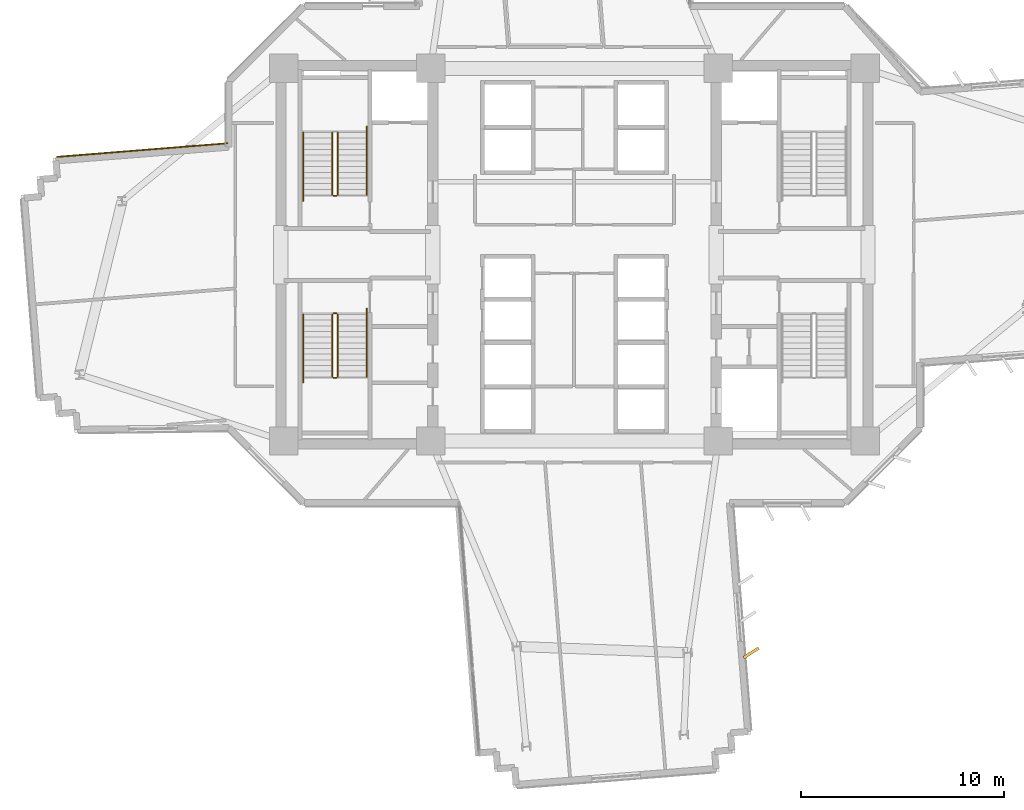
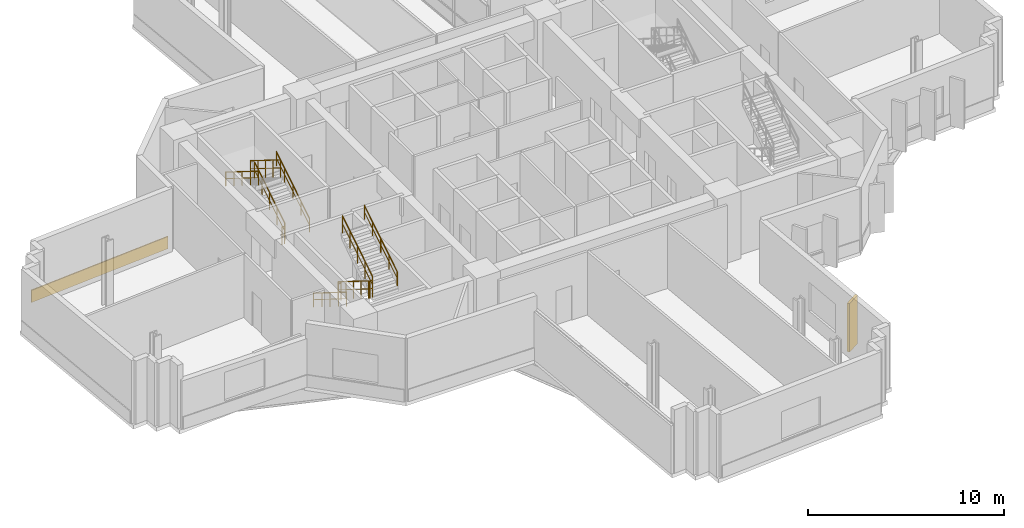
# One storey, part 12 of 15: 11 railings, 2 coverings.
"""IFC4 building model written with IfcOpenShell, lengths in metres."""

from ifc_helpers import new_model, si_unit, direction, frame, origin, origin_2d, place, context, subcontext, project, spatial, rectangle, extrude, source, transform, mapped, material, layer, layer_set, type_object, element, save


model = new_model("IFC4")

# Units and contexts
model_context = context("Model", 3, precision=1e-05, world=origin(), true_north=direction((0.0, 1.0)))
body_context = subcontext(model_context, "Body", "Model", "MODEL_VIEW")
ifc_project = project(units=[si_unit("LENGTHUNIT", "METRE"), si_unit("AREAUNIT", "SQUARE_METRE"), si_unit("VOLUMEUNIT", "CUBIC_METRE"), si_unit("PLANEANGLEUNIT", "RADIAN"), si_unit("MASSUNIT", "GRAM", prefix="KILO")], contexts=[model_context])

# Site, building, storey
site_placement = place(None, origin())
site = spatial("IfcSite", under=ifc_project, at=site_placement, CompositionType="ELEMENT")
building_placement = place(site_placement, origin())
building = spatial("IfcBuilding", under=site, at=building_placement, Name="Zahravan Cultural Tower", CompositionType="ELEMENT")
storey_placement = place(building_placement, frame((0.0, 0.0, 83.699951171875)))
storey = spatial("IfcBuildingStorey", under=building, at=storey_placement, Name="L18", CompositionType="ELEMENT", Elevation=83.699951171875)

# Railings
ifc_material_1 = material(Name="Steel ASTM A572 Grade 50", Category="steel")
railing_type_1 = type_object("IfcRailingType", Name="RL-STAIR-GRD1150", PredefinedType="BALUSTRADE", material=ifc_material_1)
railing_1_placement = place(storey_placement, frame((24.300048828125, 29.949951171875, 0.175048828125)))
element("IfcRailing", 1, at=railing_1_placement, inside=storey, type_object=railing_type_1, Name="L18 ST-W1 stair guard 1", PredefinedType="BALUSTRADE", context=body_context, shape_type="SweptSolid", body=[
    extrude(rectangle(XDim=0.05, YDim=0.05, at=origin_2d()), frame((0.0, 0.0, 1.0751953125), z_axis=(0.0, 0.847998304005, 0.529998940003), x_axis=(-1.0, 0.0, 0.0)), (0.0, 0.0, 1.0), 3.632080078125),
    extrude(rectangle(XDim=0.032, YDim=0.032, at=origin_2d()), frame((0.0, 0.0, 0.572021484375), z_axis=(0.0, 0.847998304005, 0.529998940003), x_axis=(-1.0, 0.0, 0.0)), (0.0, 0.0, 1.0), 3.632080078125),
    extrude(rectangle(XDim=0.04, YDim=0.04, at=origin_2d()), origin(), (0.0, 0.0, 1.0), 1.10009765625),
    extrude(rectangle(XDim=0.04, YDim=0.04, at=origin_2d()), frame((0.0, 0.77001953125, 0.481201171875)), (0.0, 0.0, 1.0), 1.10009765625),
    extrude(rectangle(XDim=0.04, YDim=0.04, at=origin_2d()), frame((0.0, 1.5400390625, 0.96240234375)), (0.0, 0.0, 1.0), 1.10009765625),
    extrude(rectangle(XDim=0.04, YDim=0.04, at=origin_2d()), frame((0.0, 2.31005859375, 1.44384765625)), (0.0, 0.0, 1.0), 1.10009765625),
    extrude(rectangle(XDim=0.04, YDim=0.04, at=origin_2d()), frame((0.0, 3.080078125, 1.925048828125)), (0.0, 0.0, 1.0), 1.10009765625),
])
railing_2_placement = place(storey_placement, frame((24.050048828125, 33.030029296875, 2.275146484375)))
element("IfcRailing", 2, at=railing_2_placement, inside=storey, type_object=railing_type_1, Name="L18 ST-W1 stair guard 3", PredefinedType="BALUSTRADE", context=body_context, shape_type="SweptSolid", body=[
    extrude(rectangle(XDim=0.05, YDim=0.05, at=origin_2d()), frame((0.0, 0.0, 1.0751953125), z_axis=(0.0, -0.848028513186, 0.529950602248), x_axis=(1.0, 0.0, 0.0)), (0.0, 0.0, 1.0), 3.632080078125),
    extrude(rectangle(XDim=0.032, YDim=0.032, at=origin_2d()), frame((0.0, 0.0, 0.572021484375), z_axis=(0.0, -0.848028513186, 0.529950602248), x_axis=(1.0, 0.0, 0.0)), (0.0, 0.0, 1.0), 3.632080078125),
    extrude(rectangle(XDim=0.04, YDim=0.04, at=origin_2d()), origin(), (0.0, 0.0, 1.0), 1.10009765625),
    extrude(rectangle(XDim=0.04, YDim=0.04, at=origin_2d()), frame((0.0, -0.77001953125, 0.481201171875)), (0.0, 0.0, 1.0), 1.10009765625),
    extrude(rectangle(XDim=0.04, YDim=0.04, at=origin_2d()), frame((0.0, -1.5400390625, 0.96240234375)), (0.0, 0.0, 1.0), 1.10009765625),
    extrude(rectangle(XDim=0.04, YDim=0.04, at=origin_2d()), frame((0.0, -2.31005859375, 1.443603515625)), (0.0, 0.0, 1.0), 1.10009765625),
    extrude(rectangle(XDim=0.04, YDim=0.04, at=origin_2d()), frame((0.0, -3.080078125, 1.9248046875)), (0.0, 0.0, 1.0), 1.10009765625),
])
railing_3_placement = place(storey_placement, frame((24.25, 29.89990234375, 0.0)))
element("IfcRailing", 3, at=railing_3_placement, inside=storey, type_object=railing_type_1, Name="L18 ST-W1 stair guard 4", PredefinedType="BALUSTRADE", context=body_context, shape_type="SweptSolid", body=[
    extrude(rectangle(XDim=0.05, YDim=0.05, at=origin_2d()), frame((0.0, 0.0, 1.0751953125), z_axis=(-1.0, 0.0, 0.0), x_axis=(0.0, -1.0, 0.0)), (0.0, 0.0, 1.0), 0.14990234375),
    extrude(rectangle(XDim=0.032, YDim=0.032, at=origin_2d()), frame((0.0, 0.0, 0.572021484375), z_axis=(-1.0, 0.0, 0.0), x_axis=(0.0, -1.0, 0.0)), (0.0, 0.0, 1.0), 0.14990234375),
    extrude(rectangle(XDim=0.04, YDim=0.04, at=origin_2d()), origin(), (0.0, 0.0, 1.0), 1.10009765625),
    extrude(rectangle(XDim=0.04, YDim=0.04, at=origin_2d()), frame((-0.14990234375, 0.0, 0.0)), (0.0, 0.0, 1.0), 1.10009765625),
])
railing_4_placement = place(storey_placement, frame((24.050048828125, 24.050048828125, 0.175048828125)))
element("IfcRailing", 4, at=railing_4_placement, inside=storey, type_object=railing_type_1, Name="L18 ST-W2 stair guard 1", PredefinedType="BALUSTRADE", context=body_context, shape_type="SweptSolid", body=[
    extrude(rectangle(XDim=0.05, YDim=0.05, at=origin_2d()), frame((0.0, 0.0, 1.0751953125), z_axis=(0.0, -0.847998304005, 0.529998940003), x_axis=(1.0, 0.0, 0.0)), (0.0, 0.0, 1.0), 3.632080078125),
    extrude(rectangle(XDim=0.032, YDim=0.032, at=origin_2d()), frame((0.0, 0.0, 0.572021484375), z_axis=(0.0, -0.847998304005, 0.529998940003), x_axis=(1.0, 0.0, 0.0)), (0.0, 0.0, 1.0), 3.632080078125),
    extrude(rectangle(XDim=0.04, YDim=0.04, at=origin_2d()), origin(), (0.0, 0.0, 1.0), 1.10009765625),
    extrude(rectangle(XDim=0.04, YDim=0.04, at=origin_2d()), frame((0.0, -0.77001953125, 0.481201171875)), (0.0, 0.0, 1.0), 1.10009765625),
    extrude(rectangle(XDim=0.04, YDim=0.04, at=origin_2d()), frame((0.0, -1.5400390625, 0.96240234375)), (0.0, 0.0, 1.0), 1.10009765625),
    extrude(rectangle(XDim=0.04, YDim=0.04, at=origin_2d()), frame((0.0, -2.31005859375, 1.44384765625)), (0.0, 0.0, 1.0), 1.10009765625),
    extrude(rectangle(XDim=0.04, YDim=0.04, at=origin_2d()), frame((0.0, -3.080078125, 1.925048828125)), (0.0, 0.0, 1.0), 1.10009765625),
])
railing_5_placement = place(storey_placement, frame((24.10009765625, 20.919921875, 2.10009765625)))
element("IfcRailing", 5, at=railing_5_placement, inside=storey, type_object=railing_type_1, Name="L18 ST-W2 stair guard 2", PredefinedType="BALUSTRADE", context=body_context, shape_type="SweptSolid", body=[
    extrude(rectangle(XDim=0.05, YDim=0.05, at=origin_2d()), frame((0.0, 0.0, 1.0751953125), z_axis=(1.0, 0.0, 0.0), x_axis=(0.0, 1.0, 0.0)), (0.0, 0.0, 1.0), 0.14990234375),
    extrude(rectangle(XDim=0.032, YDim=0.032, at=origin_2d()), frame((0.0, 0.0, 0.572021484375), z_axis=(1.0, 0.0, 0.0), x_axis=(0.0, 1.0, 0.0)), (0.0, 0.0, 1.0), 0.14990234375),
    extrude(rectangle(XDim=0.04, YDim=0.04, at=origin_2d()), origin(), (0.0, 0.0, 1.0), 1.10009765625),
    extrude(rectangle(XDim=0.04, YDim=0.04, at=origin_2d()), frame((0.14990234375, 0.0, 0.0)), (0.0, 0.0, 1.0), 1.10009765625),
])
railing_6_placement = place(storey_placement, frame((24.300048828125, 20.969970703125, 2.275146484375)))
element("IfcRailing", 6, at=railing_6_placement, inside=storey, type_object=railing_type_1, Name="L18 ST-W2 stair guard 3", PredefinedType="BALUSTRADE", context=body_context, shape_type="SweptSolid", body=[
    extrude(rectangle(XDim=0.05, YDim=0.05, at=origin_2d()), frame((0.0, 0.0, 1.0751953125), z_axis=(0.0, 0.848028513186, 0.529950602248), x_axis=(-1.0, 0.0, 0.0)), (0.0, 0.0, 1.0), 3.632080078125),
    extrude(rectangle(XDim=0.032, YDim=0.032, at=origin_2d()), frame((0.0, 0.0, 0.572021484375), z_axis=(0.0, 0.848028513186, 0.529950602248), x_axis=(-1.0, 0.0, 0.0)), (0.0, 0.0, 1.0), 3.632080078125),
    extrude(rectangle(XDim=0.04, YDim=0.04, at=origin_2d()), origin(), (0.0, 0.0, 1.0), 1.10009765625),
    extrude(rectangle(XDim=0.04, YDim=0.04, at=origin_2d()), frame((0.0, 0.77001953125, 0.481201171875)), (0.0, 0.0, 1.0), 1.10009765625),
    extrude(rectangle(XDim=0.04, YDim=0.04, at=origin_2d()), frame((0.0, 1.5400390625, 0.96240234375)), (0.0, 0.0, 1.0), 1.10009765625),
    extrude(rectangle(XDim=0.04, YDim=0.04, at=origin_2d()), frame((0.0, 2.31005859375, 1.443603515625)), (0.0, 0.0, 1.0), 1.10009765625),
    extrude(rectangle(XDim=0.04, YDim=0.04, at=origin_2d()), frame((0.0, 3.080078125, 1.9248046875)), (0.0, 0.0, 1.0), 1.10009765625),
])
railing_7_placement = place(storey_placement, frame((24.10009765625, 24.10009765625, 0.0)))
element("IfcRailing", 7, at=railing_7_placement, inside=storey, type_object=railing_type_1, Name="L18 ST-W2 stair guard 4", PredefinedType="BALUSTRADE", context=body_context, shape_type="SweptSolid", body=[
    extrude(rectangle(XDim=0.05, YDim=0.05, at=origin_2d()), frame((0.0, 0.0, 1.0751953125), z_axis=(1.0, 0.0, 0.0), x_axis=(0.0, 1.0, 0.0)), (0.0, 0.0, 1.0), 0.14990234375),
    extrude(rectangle(XDim=0.032, YDim=0.032, at=origin_2d()), frame((0.0, 0.0, 0.572021484375), z_axis=(1.0, 0.0, 0.0), x_axis=(0.0, 1.0, 0.0)), (0.0, 0.0, 1.0), 0.14990234375),
    extrude(rectangle(XDim=0.04, YDim=0.04, at=origin_2d()), origin(), (0.0, 0.0, 1.0), 1.10009765625),
    extrude(rectangle(XDim=0.04, YDim=0.04, at=origin_2d()), frame((0.14990234375, 0.0, 0.0)), (0.0, 0.0, 1.0), 1.10009765625),
])
railing_type_2 = type_object("IfcRailingType", Name="RL-STAIR-HR900", PredefinedType="HANDRAIL", material=ifc_material_1)
railing_8_placement = place(storey_placement, frame((25.75, 29.949951171875, 0.175048828125)))
element("IfcRailing", 8, at=railing_8_placement, inside=storey, type_object=railing_type_2, Name="L18 ST-W1 stair handrail 1", PredefinedType="HANDRAIL", context=body_context, shape_type="SweptSolid", body=[
    extrude(rectangle(XDim=0.05, YDim=0.05, at=origin_2d()), frame((0.0, 0.0, 0.875), z_axis=(0.0, 0.847994842521, 0.530004478338), x_axis=(-1.0, 0.0, 0.0)), (0.0, 0.0, 1.0), 3.96240234375),
    extrude(rectangle(XDim=0.032, YDim=0.032, at=origin_2d()), frame((0.0, 0.0, 0.468017578125), z_axis=(0.0, 0.847994842521, 0.530004478338), x_axis=(-1.0, 0.0, 0.0)), (0.0, 0.0, 1.0), 3.96240234375),
    extrude(rectangle(XDim=0.04, YDim=0.04, at=origin_2d()), origin(), (0.0, 0.0, 1.0), 0.89990234375),
    extrude(rectangle(XDim=0.04, YDim=0.04, at=origin_2d()), frame((0.0, 0.840087890625, 0.52490234375)), (0.0, 0.0, 1.0), 0.89990234375),
    extrude(rectangle(XDim=0.04, YDim=0.04, at=origin_2d()), frame((0.0, 1.68017578125, 1.050048828125)), (0.0, 0.0, 1.0), 0.89990234375),
    extrude(rectangle(XDim=0.04, YDim=0.04, at=origin_2d()), frame((0.0, 2.52001953125, 1.5751953125)), (0.0, 0.0, 1.0), 0.89990234375),
    extrude(rectangle(XDim=0.04, YDim=0.04, at=origin_2d()), frame((0.0, 3.360107421875, 2.10009765625)), (0.0, 0.0, 1.0), 0.89990234375),
])
railing_9_placement = place(storey_placement, frame((22.60009765625, 33.030029296875, 2.275146484375)))
element("IfcRailing", 9, at=railing_9_placement, inside=storey, type_object=railing_type_2, Name="L18 ST-W1 stair handrail 2", PredefinedType="HANDRAIL", context=body_context, shape_type="SweptSolid", body=[
    extrude(rectangle(XDim=0.05, YDim=0.05, at=origin_2d()), frame((0.0, 0.0, 0.875), z_axis=(0.0, -0.848022534174, 0.529960169762), x_axis=(1.0, 0.0, 0.0)), (0.0, 0.0, 1.0), 3.96240234375),
    extrude(rectangle(XDim=0.032, YDim=0.032, at=origin_2d()), frame((0.0, 0.0, 0.468017578125), z_axis=(0.0, -0.848022534174, 0.529960169762), x_axis=(1.0, 0.0, 0.0)), (0.0, 0.0, 1.0), 3.96240234375),
    extrude(rectangle(XDim=0.04, YDim=0.04, at=origin_2d()), origin(), (0.0, 0.0, 1.0), 0.89990234375),
    extrude(rectangle(XDim=0.04, YDim=0.04, at=origin_2d()), frame((0.0, -0.840087890625, 0.52490234375)), (0.0, 0.0, 1.0), 0.89990234375),
    extrude(rectangle(XDim=0.04, YDim=0.04, at=origin_2d()), frame((0.0, -1.68017578125, 1.0498046875)), (0.0, 0.0, 1.0), 0.89990234375),
    extrude(rectangle(XDim=0.04, YDim=0.04, at=origin_2d()), frame((0.0, -2.52001953125, 1.574951171875)), (0.0, 0.0, 1.0), 0.89990234375),
    extrude(rectangle(XDim=0.04, YDim=0.04, at=origin_2d()), frame((0.0, -3.360107421875, 2.099853515625)), (0.0, 0.0, 1.0), 0.89990234375),
])
railing_10_placement = place(storey_placement, frame((22.60009765625, 24.050048828125, 0.175048828125)))
element("IfcRailing", 10, at=railing_10_placement, inside=storey, type_object=railing_type_2, Name="L18 ST-W2 stair handrail 1", PredefinedType="HANDRAIL", context=body_context, shape_type="SweptSolid", body=[
    extrude(rectangle(XDim=0.05, YDim=0.05, at=origin_2d()), frame((0.0, 0.0, 0.875), z_axis=(0.0, -0.847994842521, 0.530004478338), x_axis=(1.0, 0.0, 0.0)), (0.0, 0.0, 1.0), 3.96240234375),
    extrude(rectangle(XDim=0.032, YDim=0.032, at=origin_2d()), frame((0.0, 0.0, 0.468017578125), z_axis=(0.0, -0.847994842521, 0.530004478338), x_axis=(1.0, 0.0, 0.0)), (0.0, 0.0, 1.0), 3.96240234375),
    extrude(rectangle(XDim=0.04, YDim=0.04, at=origin_2d()), origin(), (0.0, 0.0, 1.0), 0.89990234375),
    extrude(rectangle(XDim=0.04, YDim=0.04, at=origin_2d()), frame((0.0, -0.840087890625, 0.52490234375)), (0.0, 0.0, 1.0), 0.89990234375),
    extrude(rectangle(XDim=0.04, YDim=0.04, at=origin_2d()), frame((0.0, -1.68017578125, 1.050048828125)), (0.0, 0.0, 1.0), 0.89990234375),
    extrude(rectangle(XDim=0.04, YDim=0.04, at=origin_2d()), frame((0.0, -2.52001953125, 1.5751953125)), (0.0, 0.0, 1.0), 0.89990234375),
    extrude(rectangle(XDim=0.04, YDim=0.04, at=origin_2d()), frame((0.0, -3.360107421875, 2.10009765625)), (0.0, 0.0, 1.0), 0.89990234375),
])
railing_11_placement = place(storey_placement, frame((25.75, 20.969970703125, 2.275146484375)))
element("IfcRailing", 11, at=railing_11_placement, inside=storey, type_object=railing_type_2, Name="L18 ST-W2 stair handrail 2", PredefinedType="HANDRAIL", context=body_context, shape_type="SweptSolid", body=[
    extrude(rectangle(XDim=0.05, YDim=0.05, at=origin_2d()), frame((0.0, 0.0, 0.875), z_axis=(0.0, 0.848022534174, 0.529960169762), x_axis=(-1.0, 0.0, 0.0)), (0.0, 0.0, 1.0), 3.96240234375),
    extrude(rectangle(XDim=0.032, YDim=0.032, at=origin_2d()), frame((0.0, 0.0, 0.468017578125), z_axis=(0.0, 0.848022534174, 0.529960169762), x_axis=(-1.0, 0.0, 0.0)), (0.0, 0.0, 1.0), 3.96240234375),
    extrude(rectangle(XDim=0.04, YDim=0.04, at=origin_2d()), origin(), (0.0, 0.0, 1.0), 0.89990234375),
    extrude(rectangle(XDim=0.04, YDim=0.04, at=origin_2d()), frame((0.0, 0.840087890625, 0.52490234375)), (0.0, 0.0, 1.0), 0.89990234375),
    extrude(rectangle(XDim=0.04, YDim=0.04, at=origin_2d()), frame((0.0, 1.68017578125, 1.0498046875)), (0.0, 0.0, 1.0), 0.89990234375),
    extrude(rectangle(XDim=0.04, YDim=0.04, at=origin_2d()), frame((0.0, 2.52001953125, 1.574951171875)), (0.0, 0.0, 1.0), 0.89990234375),
    extrude(rectangle(XDim=0.04, YDim=0.04, at=origin_2d()), frame((0.0, 3.360107421875, 2.099853515625)), (0.0, 0.0, 1.0), 0.89990234375),
])

# Coverings
ifc_material_2 = material(Name="Terracotta ceramic cladding", Category="masonry")
ifc_layer = layer(ifc_material_2, 0.06005859375)
ifc_layer_set = layer_set([ifc_layer], Name="Terracotta ceramic cladding")
covering_type = type_object("IfcCoveringType", Name="COV-CLAD-TC60", PredefinedType="CLADDING", material=ifc_layer_set)
shared_shape_1 = source(origin(), body_context, "Body", "SweptSolid", [
    extrude(rectangle(XDim=0.8798828125, YDim=0.139892578125, at=origin_2d()), origin(), (0.0, 0.0, 1.0), 3.030029296875),
])
covering_1_placement = place(storey_placement, frame((44.720947265625, 7.3359375, 0.0498046875), z_axis=(0.0, 0.0, 1.0), x_axis=(0.842828324641, 0.538182511035, 0.0)))
element("IfcCovering", 12, at=covering_1_placement, inside=storey, type_object=covering_type, Name="L18 Herringbone Terracotta Fin 16", PredefinedType="CLADDING", context=body_context, shape_type="MappedRepresentation", body=[
    mapped(shared_shape_1, transform((0.0, 0.0, 0.0), x_axis=(1.0, 0.0, 0.0), y_axis=(0.0, 1.0, 0.0), z_axis=(0.0, 0.0, 1.0), scale=1.0)),
])
shared_shape_2 = source(origin(), body_context, "Body", "SweptSolid", [
    extrude(rectangle(XDim=8.476806640625, YDim=0.06005859375, at=origin_2d()), origin(), (0.0, 0.0, 1.0), 0.760009765625),
])
covering_2_placement = place(storey_placement, frame((14.650390625, 32.1640625, 0.02001953125), z_axis=(0.0, 0.0, 1.0), x_axis=(0.996834624954, 0.079503021908, 0.0)))
element("IfcCovering", 13, at=covering_2_placement, inside=storey, type_object=covering_type, Name="L18 Terracotta Spandrel Cladding 37", PredefinedType="CLADDING", context=body_context, shape_type="MappedRepresentation", body=[
    mapped(shared_shape_2, transform((0.0, 0.0, 0.0), x_axis=(1.0, 0.0, 0.0), y_axis=(0.0, 1.0, 0.0), z_axis=(0.0, 0.0, 1.0), scale=1.0)),
])

save(model, "model.ifc")
